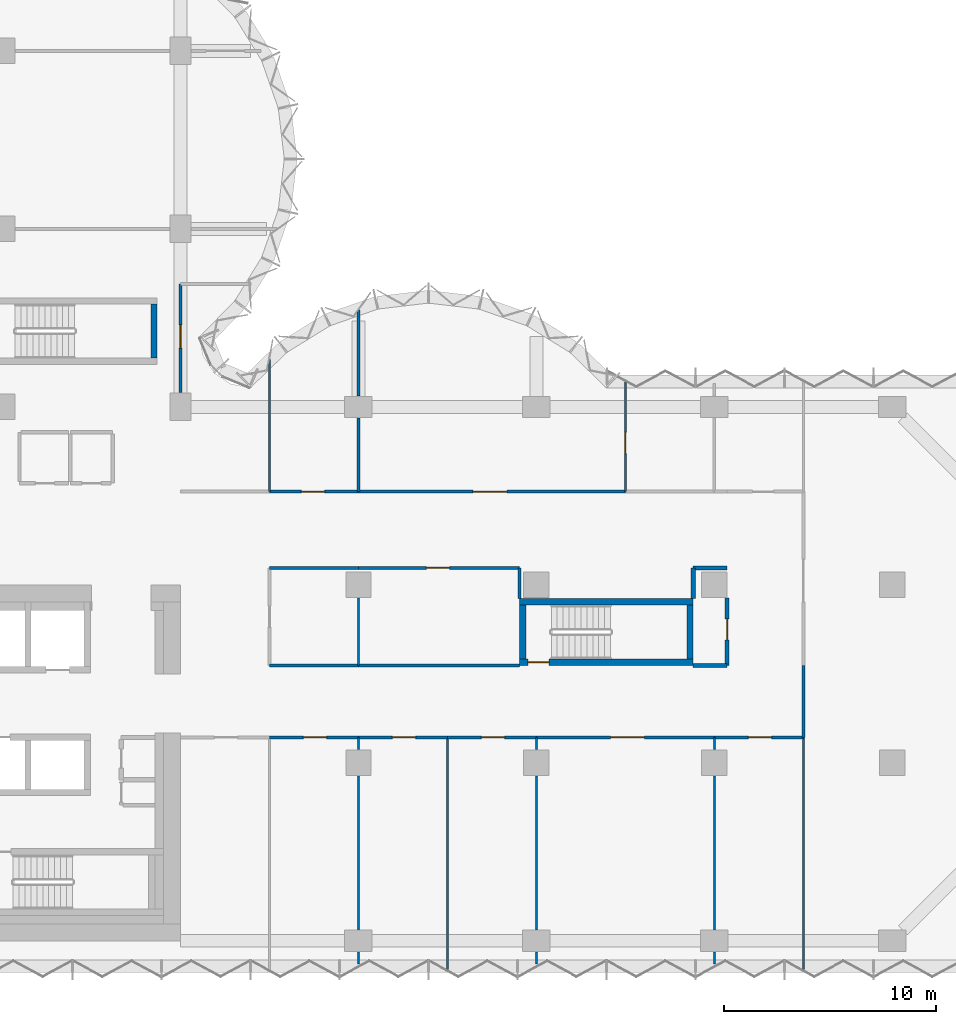
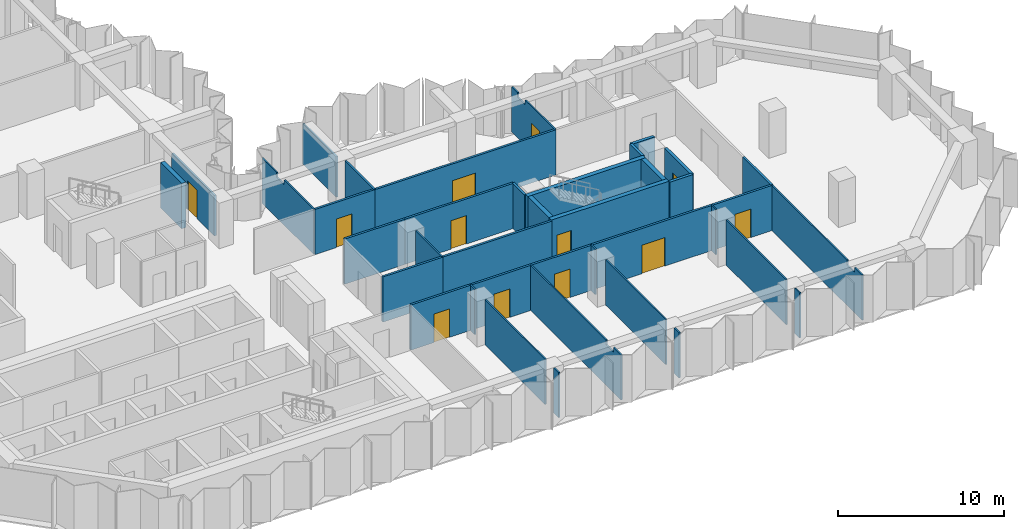
# One storey, part 9 of 13: 39 walls, 12 doors, 12 openings.
"""IFC4 building model written with IfcOpenShell, lengths in metres."""

from ifc_helpers import new_model, si_unit, direction, frame, frame_2d, origin, place, context, subcontext, project, spatial, polyline, rectangle, outline, extrude, material, layer, layer_set, type_object, element, fill, save


model = new_model("IFC4")

# Units and contexts
model_context = context("Model", 3, precision=1e-05, world=origin(), true_north=direction((0.0, 1.0)))
body_context = subcontext(model_context, "Body", "Model", "MODEL_VIEW")
ifc_project = project(units=[si_unit("LENGTHUNIT", "METRE"), si_unit("AREAUNIT", "SQUARE_METRE"), si_unit("VOLUMEUNIT", "CUBIC_METRE"), si_unit("PLANEANGLEUNIT", "RADIAN"), si_unit("MASSUNIT", "GRAM", prefix="KILO")], contexts=[model_context])

# Site, building, storey
site_placement = place(None, origin())
site = spatial("IfcSite", under=ifc_project, at=site_placement, CompositionType="ELEMENT")
building_placement = place(site_placement, origin())
building = spatial("IfcBuilding", under=site, at=building_placement, Name="Brevane Broadcast Tower", CompositionType="ELEMENT")
storey_placement = place(building_placement, frame((0.0, 0.0, 124.10009765625)))
storey = spatial("IfcBuildingStorey", under=building, at=storey_placement, Name="L30", CompositionType="ELEMENT", Elevation=124.10009765625)

# Wall
ifc_material_1 = material(Name="Concrete C60/75", Category="concrete")
ifc_layer_1 = layer(ifc_material_1, 0.300048828125)
ifc_layer_set_1 = layer_set([ifc_layer_1], Name="Core wall 300 mm C60/75")
wall_type_1 = type_object("IfcWallType", Name="Core wall 300 mm C60/75", PredefinedType="SHEAR", material=ifc_layer_set_1)
wall_1_placement = place(storey_placement, frame((23.949951171875, 27.5, 0.0), z_axis=(0.0, 0.0, 1.0), x_axis=(0.0, 1.0, 0.0)))
element("IfcWall", 1, at=wall_1_placement, inside=storey, type_object=wall_type_1, Name="L30 stair wall ST-3-E", PredefinedType="SHEAR", context=body_context, shape_type="SweptSolid", body=[
    extrude(rectangle(XDim=2.550048828125, YDim=0.300048828125, at=frame_2d((1.27490234375, 0.0))), origin(), (0.0, 0.0, 1.0), 3.349853515625),
])

# Wall, opening, door
wall_2_placement = place(storey_placement, frame((49.39990234375, 13.14990234375, 0.0), z_axis=(0.0, 0.0, 1.0), x_axis=(-1.0, 0.0, 0.0)))
wall_2 = element("IfcWall", 2, at=wall_2_placement, inside=storey, type_object=wall_type_1, Name="L30 stair wall ST-4-S", PredefinedType="SHEAR", context=body_context, shape_type="SweptSolid", body=[
    extrude(rectangle(XDim=8.199951171875, YDim=0.300048828125, at=frame_2d((4.10009765625, 0.0))), origin(), (0.0, 0.0, 1.0), 3.349853515625),
])
opening_1_placement = place(wall_2_placement, frame((6.800048828125, 0.0, 0.0)))
opening_1 = element("IfcOpeningElement", 3, at=opening_1_placement, cuts=wall_2, Name="Opening L30-K15", PredefinedType="OPENING", context=body_context, shape_type="SweptSolid", body=[
    extrude(rectangle(XDim=1.0, YDim=2.10009765625, at=frame_2d((0.5, 1.050048828125))), frame((0.0, 0.159912109375, 0.0), z_axis=(0.0, -1.0, 0.0), x_axis=(1.0, 0.0, 0.0)), (0.0, 0.0, 1.0), 0.320068359375),
])
ifc_material_2 = material(Name="Steel", Category="steel")
door_type_1 = type_object("IfcDoorType", Name="Stair door 1000 x 2100", OperationType="SINGLE_SWING_LEFT", PredefinedType="DOOR", material=ifc_material_2)
door_1_placement = place(opening_1_placement, origin())
door_1 = element("IfcDoor", 4, at=door_1_placement, inside=storey, type_object=door_type_1, Name="Door L30-K15", OperationType="SINGLE_SWING_RIGHT", OverallHeight=2.10009765625, OverallWidth=1.0, PredefinedType="DOOR", context=body_context, shape_type="SweptSolid", body=[
    extrude(rectangle(XDim=1.0, YDim=2.10009765625, at=frame_2d((0.5, 1.050048828125))), frame((0.0, 0.02490234375, 0.0), z_axis=(0.0, -1.0, 0.0), x_axis=(1.0, 0.0, 0.0)), (0.0, 0.0, 1.0), 0.050048828125),
])
fill(opening_1, door_1)

# Walls
wall_3_placement = place(storey_placement, frame((41.199951171875, 16.0, 0.0), z_axis=(0.0, 0.0, 1.0), x_axis=(1.0, 0.0, 0.0)))
element("IfcWall", 5, at=wall_3_placement, inside=storey, type_object=wall_type_1, Name="L30 stair wall ST-4-N", PredefinedType="SHEAR", context=body_context, shape_type="SweptSolid", body=[
    extrude(rectangle(XDim=8.199951171875, YDim=0.300048828125, at=frame_2d((4.10009765625, 0.0))), origin(), (0.0, 0.0, 1.0), 3.349853515625),
])
for number, where, z_axis, x_axis, name in (
    (6, (41.35009765625, 13.300048828125, 0.0), (0.0, 0.0, 1.0), (0.0, 1.0, 0.0), "L30 stair wall ST-4-W"),
    (7, (49.25, 13.300048828125, 0.0), (0.0, 0.0, 1.0), (0.0, 1.0, 0.0), "L30 stair wall ST-4-E"),
):
    element("IfcWall", number, at=place(storey_placement, frame(where, z_axis=z_axis, x_axis=x_axis)), inside=storey, type_object=wall_type_1, Name=name, PredefinedType="SHEAR", context=body_context, shape_type="SweptSolid", body=[
        extrude(rectangle(XDim=2.550048828125, YDim=0.300048828125, at=frame_2d((1.27490234375, 0.0))), origin(), (0.0, 0.0, 1.0), 3.349853515625),
    ])
ifc_material_3 = material(Name="Gypsum board partition")
ifc_layer_2 = layer(ifc_material_3, 0.10009765625)
ifc_layer_set_2 = layer_set([ifc_layer_2], Name="PARTITION 100 STUD")
wall_type_2 = type_object("IfcWallType", Name="PARTITION 100 STUD", PredefinedType="PARTITIONING", material=ifc_layer_set_2)
wall_4_placement = place(storey_placement, frame((29.39990234375, 27.428955078125, 0.0), z_axis=(0.0, 0.0, 1.0), x_axis=(0.0, -1.0, 0.0)))
element("IfcWall", 8, at=wall_4_placement, inside=storey, type_object=wall_type_2, Name="Partition G09-004", PredefinedType="PARTITIONING", context=body_context, shape_type="SweptSolid", body=[
    extrude(outline(polyline([(0.0, 0.0), (6.22900390625, 0.0), (6.22900390625, 3.329833984375), (2.678955078125, 3.329833984375), (2.677001953125, 2.97998046875), (1.781005859375, 2.97998046875), (1.779052734375, 3.329833984375), (0.154052734375, 3.329833984375), (0.0, 3.329833984375), (0.0, 0.0)])), frame((0.0, 0.050048828125, 0.0), z_axis=(0.0, -1.0, 0.0), x_axis=(1.0, 0.0, 0.0)), (0.0, 0.0, 1.0), 0.10009765625),
])
wall_5_placement = place(storey_placement, frame((54.60009765625, -1.364990234375, 0.0), z_axis=(0.0, 0.0, 1.0), x_axis=(0.0, 1.0, 0.0)))
element("IfcWall", 9, at=wall_5_placement, inside=storey, type_object=wall_type_2, Name="Partition G09-017", PredefinedType="PARTITIONING", context=body_context, shape_type="SweptSolid", body=[
    extrude(outline(polyline([(0.0, 0.0), (10.965087890625, 0.0), (10.965087890625, 3.329833984375), (1.81494140625, 3.329833984375), (1.81298828125, 2.97998046875), (0.9169921875, 2.97998046875), (0.9150390625, 3.329833984375), (0.264892578125, 3.329833984375), (0.0, 3.329833984375), (0.0, 0.0)])), frame((0.0, 0.050048828125, 0.0), z_axis=(0.0, -1.0, 0.0), x_axis=(1.0, 0.0, 0.0)), (0.0, 0.0, 1.0), 0.10009765625),
])
wall_6_placement = place(storey_placement, frame((33.60009765625, 16.179931640625, 0.0), z_axis=(0.0, 0.0, 1.0), x_axis=(0.0, -1.0, 0.0)))
element("IfcWall", 10, at=wall_6_placement, inside=storey, type_object=wall_type_2, Name="Partition G09-030", PredefinedType="PARTITIONING", context=body_context, shape_type="SweptSolid", body=[
    extrude(rectangle(XDim=3.179931640625, YDim=0.10009765625, at=frame_2d((1.58984375, 0.0))), origin(), (0.0, 0.0, 1.0), 3.329833984375),
])
wall_7_placement = place(storey_placement, frame((33.60009765625, 9.60009765625, 0.0), z_axis=(0.0, 0.0, 1.0), x_axis=(0.0, -1.0, 0.0)))
element("IfcWall", 11, at=wall_7_placement, inside=storey, type_object=wall_type_2, Name="Partition G09-032", PredefinedType="PARTITIONING", context=body_context, shape_type="SweptSolid", body=[
    extrude(rectangle(XDim=0.580078125, YDim=0.10009765625, at=frame_2d((0.2900390625, 0.0))), origin(), (0.0, 0.0, 1.0), 3.329833984375),
])
wall_8_placement = place(storey_placement, frame((33.60009765625, 7.780029296875, 0.0), z_axis=(0.0, 0.0, 1.0), x_axis=(0.0, -1.0, 0.0)))
element("IfcWall", 12, at=wall_8_placement, inside=storey, type_object=wall_type_2, Name="Partition G09-033", PredefinedType="PARTITIONING", context=body_context, shape_type="SweptSolid", body=[
    extrude(rectangle(XDim=7.260009765625, YDim=0.10009765625, at=frame_2d((3.6298828125, 0.0))), origin(), (0.0, 0.0, 1.0), 3.329833984375),
])
wall_9_placement = place(storey_placement, frame((33.60009765625, -0.52001953125, 0.0), z_axis=(0.0, 0.0, 1.0), x_axis=(0.0, -1.0, 0.0)))
element("IfcWall", 13, at=wall_9_placement, inside=storey, type_object=wall_type_2, Name="Partition G09-034", PredefinedType="PARTITIONING", context=body_context, shape_type="SweptSolid", body=[
    extrude(rectangle(XDim=0.580078125, YDim=0.10009765625, at=frame_2d((0.2900390625, 0.0))), origin(), (0.0, 0.0, 1.0), 3.329833984375),
])
wall_10_placement = place(storey_placement, frame((37.800048828125, 9.60009765625, 0.0), z_axis=(0.0, 0.0, 1.0), x_axis=(0.0, -1.0, 0.0)))
element("IfcWall", 14, at=wall_10_placement, inside=storey, type_object=wall_type_2, Name="Partition G09-035", PredefinedType="PARTITIONING", context=body_context, shape_type="SweptSolid", body=[
    extrude(outline(polyline([(0.0, 0.0), (10.965087890625, 0.0), (10.965087890625, 3.329833984375), (10.699951171875, 3.329833984375), (10.050048828125, 3.329833984375), (10.048095703125, 2.97998046875), (9.152099609375, 2.97998046875), (9.14990234375, 3.329833984375), (0.0, 3.329833984375), (0.0, 0.0)])), frame((0.0, 0.050048828125, 0.0), z_axis=(0.0, -1.0, 0.0), x_axis=(1.0, 0.0, 0.0)), (0.0, 0.0, 1.0), 0.10009765625),
])
wall_11_placement = place(storey_placement, frame((42.0, 9.60009765625, 0.0), z_axis=(0.0, 0.0, 1.0), x_axis=(0.0, -1.0, 0.0)))
element("IfcWall", 15, at=wall_11_placement, inside=storey, type_object=wall_type_2, Name="Partition G09-036", PredefinedType="PARTITIONING", context=body_context, shape_type="SweptSolid", body=[
    extrude(rectangle(XDim=0.580078125, YDim=0.10009765625, at=frame_2d((0.2900390625, 0.0))), origin(), (0.0, 0.0, 1.0), 3.329833984375),
])
wall_12_placement = place(storey_placement, frame((42.0, 7.780029296875, 0.0), z_axis=(0.0, 0.0, 1.0), x_axis=(0.0, -1.0, 0.0)))
element("IfcWall", 16, at=wall_12_placement, inside=storey, type_object=wall_type_2, Name="Partition G09-037", PredefinedType="PARTITIONING", context=body_context, shape_type="SweptSolid", body=[
    extrude(rectangle(XDim=7.260009765625, YDim=0.10009765625, at=frame_2d((3.6298828125, 0.0))), origin(), (0.0, 0.0, 1.0), 3.329833984375),
])
for number, where, z_axis, x_axis, name in (
    (17, (42.0, -0.52001953125, 0.0), (0.0, 0.0, 1.0), (0.0, -1.0, 0.0), "Partition G09-038"),
    (18, (50.39990234375, 9.60009765625, 0.0), (0.0, 0.0, 1.0), (0.0, -1.0, 0.0), "Partition G09-039"),
):
    element("IfcWall", number, at=place(storey_placement, frame(where, z_axis=z_axis, x_axis=x_axis)), inside=storey, type_object=wall_type_2, Name=name, PredefinedType="PARTITIONING", context=body_context, shape_type="SweptSolid", body=[
        extrude(rectangle(XDim=0.580078125, YDim=0.10009765625, at=frame_2d((0.2900390625, 0.0))), origin(), (0.0, 0.0, 1.0), 3.329833984375),
    ])
wall_13_placement = place(storey_placement, frame((50.39990234375, 7.780029296875, 0.0), z_axis=(0.0, 0.0, 1.0), x_axis=(0.0, -1.0, 0.0)))
element("IfcWall", 19, at=wall_13_placement, inside=storey, type_object=wall_type_2, Name="Partition G09-040", PredefinedType="PARTITIONING", context=body_context, shape_type="SweptSolid", body=[
    extrude(rectangle(XDim=7.260009765625, YDim=0.10009765625, at=frame_2d((3.6298828125, 0.0))), origin(), (0.0, 0.0, 1.0), 3.329833984375),
])
wall_14_placement = place(storey_placement, frame((50.39990234375, -0.52001953125, 0.0), z_axis=(0.0, 0.0, 1.0), x_axis=(0.0, -1.0, 0.0)))
element("IfcWall", 20, at=wall_14_placement, inside=storey, type_object=wall_type_2, Name="Partition G09-041", PredefinedType="PARTITIONING", context=body_context, shape_type="SweptSolid", body=[
    extrude(rectangle(XDim=0.580078125, YDim=0.10009765625, at=frame_2d((0.2900390625, 0.0))), origin(), (0.0, 0.0, 1.0), 3.329833984375),
])

# Wall, opening, door
wall_15_placement = place(storey_placement, frame((46.199951171875, 26.3740234375, 0.0), z_axis=(0.0, 0.0, 1.0), x_axis=(0.0, -1.0, 0.0)))
wall_15 = element("IfcWall", 21, at=wall_15_placement, inside=storey, type_object=wall_type_2, Name="Partition G09-044", PredefinedType="PARTITIONING", context=body_context, shape_type="SweptSolid", body=[
    extrude(outline(polyline([(0.0, 0.0), (5.174072265625, 0.0), (5.174072265625, 3.329833984375), (1.6240234375, 3.329833984375), (1.6220703125, 2.97998046875), (0.72607421875, 2.97998046875), (0.72412109375, 3.329833984375), (0.073974609375, 3.329833984375), (0.0, 3.329833984375), (0.0, 0.0)])), frame((0.0, 0.050048828125, 0.0), z_axis=(0.0, -1.0, 0.0), x_axis=(1.0, 0.0, 0.0)), (0.0, 0.0, 1.0), 0.10009765625),
])
opening_2_placement = place(wall_15_placement, frame((2.3740234375, 0.0, 0.0)))
opening_2 = element("IfcOpeningElement", 22, at=opening_2_placement, cuts=wall_15, Name="Opening D16-014", PredefinedType="OPENING", context=body_context, shape_type="SweptSolid", body=[
    extrude(rectangle(XDim=1.0, YDim=2.10009765625, at=frame_2d((0.5, 1.050048828125))), frame((0.0, 0.06005859375, 0.0), z_axis=(0.0, -1.0, 0.0), x_axis=(1.0, 0.0, 0.0)), (0.0, 0.0, 1.0), 0.1201171875),
])
ifc_material_4 = material(Name="Timber door leaf", Category="wood")
door_type_2 = type_object("IfcDoorType", Name="DOOR SINGLE 1000 INTERNAL", OperationType="SINGLE_SWING_LEFT", PredefinedType="DOOR", material=ifc_material_4)
door_2_placement = place(opening_2_placement, origin())
door_2 = element("IfcDoor", 23, at=door_2_placement, inside=storey, type_object=door_type_2, Name="Door D16-014", OperationType="SINGLE_SWING_LEFT", OverallHeight=2.10009765625, OverallWidth=1.0, PredefinedType="DOOR", context=body_context, shape_type="SweptSolid", body=[
    extrude(rectangle(XDim=1.0, YDim=2.10009765625, at=frame_2d((0.5, 1.050048828125))), frame((0.0, 0.02490234375, 0.0), z_axis=(0.0, -1.0, 0.0), x_axis=(1.0, 0.0, 0.0)), (0.0, 0.0, 1.0), 0.050048828125),
])
fill(opening_2, door_2)

# Walls
ifc_layer_3 = layer(ifc_material_3, 0.125)
ifc_layer_set_3 = layer_set([ifc_layer_3], Name="PARTITION 125 ACOUSTIC")
wall_type_3 = type_object("IfcWallType", Name="PARTITION 125 ACOUSTIC", PredefinedType="PARTITIONING", material=ifc_layer_set_3)
wall_16_placement = place(storey_placement, frame((33.60009765625, 29.761962890625, 0.0), z_axis=(0.0, 0.0, 1.0), x_axis=(0.0, -1.0, 0.0)))
element("IfcWall", 24, at=wall_16_placement, inside=storey, type_object=wall_type_3, Name="Partition G09-042", PredefinedType="PARTITIONING", context=body_context, shape_type="SweptSolid", body=[
    extrude(rectangle(XDim=4.0419921875, YDim=0.125, at=frame_2d((2.02099609375, 0.0))), origin(), (0.0, 0.0, 1.0), 2.97998046875),
])
wall_17_placement = place(storey_placement, frame((33.60009765625, 24.679931640625, 0.0), z_axis=(0.0, 0.0, 1.0), x_axis=(0.0, -1.0, 0.0)))
element("IfcWall", 25, at=wall_17_placement, inside=storey, type_object=wall_type_3, Name="Partition G09-043", PredefinedType="PARTITIONING", context=body_context, shape_type="SweptSolid", body=[
    extrude(rectangle(XDim=3.47998046875, YDim=0.125, at=frame_2d((1.739990234375, 0.0))), origin(), (0.0, 0.0, 1.0), 3.329833984375),
])

# Wall, opening, door
ifc_layer_4 = layer(ifc_material_3, 0.14990234375)
ifc_layer_set_4 = layer_set([ifc_layer_4], Name="PARTITION 150 EI 60")
wall_type_4 = type_object("IfcWallType", Name="PARTITION 150 EI 60", PredefinedType="PARTITIONING", material=ifc_layer_set_4)
wall_18_placement = place(storey_placement, frame((25.199951171875, 31.0, 0.0), z_axis=(0.0, 0.0, 1.0), x_axis=(0.0, -1.0, 0.0)))
wall_18 = element("IfcWall", 26, at=wall_18_placement, inside=storey, type_object=wall_type_4, Name="Partition G09-005", PredefinedType="PARTITIONING", context=body_context, shape_type="SweptSolid", body=[
    extrude(outline(polyline([(0.0, 0.0), (5.1298828125, 0.0), (5.1298828125, 2.97998046875), (0.0, 2.97998046875), (0.0, 0.0)])), frame((0.0, 0.074951171875, 0.0), z_axis=(0.0, -1.0, 0.0), x_axis=(1.0, 0.0, 0.0)), (0.0, 0.0, 1.0), 0.14990234375),
])
opening_3_placement = place(wall_18_placement, frame((1.929931640625, 0.0, 0.0)))
opening_3 = element("IfcOpeningElement", 27, at=opening_3_placement, cuts=wall_18, Name="Opening D16-001", PredefinedType="OPENING", context=body_context, shape_type="SweptSolid", body=[
    extrude(rectangle(XDim=1.10009765625, YDim=2.10009765625, at=frame_2d((0.550048828125, 1.050048828125))), frame((0.0, 0.0849609375, 0.0), z_axis=(0.0, -1.0, 0.0), x_axis=(1.0, 0.0, 0.0)), (0.0, 0.0, 1.0), 0.169921875),
])
ifc_material_5 = material(Name="Fire-rated timber door leaf", Category="wood")
door_type_3 = type_object("IfcDoorType", Name="DOOR SINGLE 1100 FD30S", OperationType="SINGLE_SWING_LEFT", PredefinedType="DOOR", material=ifc_material_5)
door_3_placement = place(opening_3_placement, origin())
door_3 = element("IfcDoor", 28, at=door_3_placement, inside=storey, type_object=door_type_3, Name="Door D16-001", OperationType="SINGLE_SWING_RIGHT", OverallHeight=2.10009765625, OverallWidth=1.10009765625, PredefinedType="DOOR", context=body_context, shape_type="SweptSolid", body=[
    extrude(rectangle(XDim=1.10009765625, YDim=2.10009765625, at=frame_2d((0.550048828125, 1.050048828125))), frame((0.0, 0.02490234375, 0.0), z_axis=(0.0, -1.0, 0.0), x_axis=(1.0, 0.0, 0.0)), (0.0, 0.0, 1.0), 0.050048828125),
])
fill(opening_3, door_3)

# Walls
wall_19_placement = place(storey_placement, frame((54.60009765625, 13.0, 0.0), z_axis=(0.0, 0.0, 1.0), x_axis=(0.0, -1.0, 0.0)))
element("IfcWall", 29, at=wall_19_placement, inside=storey, type_object=wall_type_4, Name="Partition G09-007", PredefinedType="PARTITIONING", context=body_context, shape_type="SweptSolid", body=[
    extrude(rectangle(XDim=3.39990234375, YDim=0.14990234375, at=frame_2d((1.699951171875, 0.0))), origin(), (0.0, 0.0, 1.0), 3.329833984375),
])
wall_20_placement = place(storey_placement, frame((29.39990234375, 13.0, 0.0), z_axis=(0.0, 0.0, 1.0), x_axis=(1.0, 0.0, 0.0)))
element("IfcWall", 30, at=wall_20_placement, inside=storey, type_object=wall_type_4, Name="Partition G09-008", PredefinedType="PARTITIONING", context=body_context, shape_type="SweptSolid", body=[
    extrude(rectangle(XDim=4.2001953125, YDim=0.14990234375, at=frame_2d((2.10009765625, 0.0))), origin(), (0.0, 0.0, 1.0), 3.329833984375),
])
wall_21_placement = place(storey_placement, frame((33.60009765625, 13.0, 0.0), z_axis=(0.0, 0.0, 1.0), x_axis=(1.0, 0.0, 0.0)))
element("IfcWall", 31, at=wall_21_placement, inside=storey, type_object=wall_type_4, Name="Partition G09-009", PredefinedType="PARTITIONING", context=body_context, shape_type="SweptSolid", body=[
    extrude(rectangle(XDim=7.599853515625, YDim=0.14990234375, at=frame_2d((3.7998046875, 0.0))), origin(), (0.0, 0.0, 1.0), 3.329833984375),
])

# Wall, opening, door
wall_22_placement = place(storey_placement, frame((33.60009765625, 9.60009765625, 0.0), z_axis=(0.0, 0.0, 1.0), x_axis=(-1.0, 0.0, 0.0)))
wall_22 = element("IfcWall", 32, at=wall_22_placement, inside=storey, type_object=wall_type_4, Name="Partition G09-011", PredefinedType="PARTITIONING", context=body_context, shape_type="SweptSolid", body=[
    extrude(rectangle(XDim=4.2001953125, YDim=0.14990234375, at=frame_2d((2.10009765625, 0.0))), origin(), (0.0, 0.0, 1.0), 3.329833984375),
])
opening_4_placement = place(wall_22_placement, frame((1.5, 0.0, 0.0)))
opening_4 = element("IfcOpeningElement", 33, at=opening_4_placement, cuts=wall_22, Name="Opening D16-007", PredefinedType="OPENING", context=body_context, shape_type="SweptSolid", body=[
    extrude(rectangle(XDim=1.10009765625, YDim=2.10009765625, at=frame_2d((0.550048828125, 1.050048828125))), frame((0.0, 0.0849609375, 0.0), z_axis=(0.0, -1.0, 0.0), x_axis=(1.0, 0.0, 0.0)), (0.0, 0.0, 1.0), 0.169921875),
])
door_4_placement = place(opening_4_placement, origin())
door_4 = element("IfcDoor", 34, at=door_4_placement, inside=storey, type_object=door_type_3, Name="Door D16-007", OperationType="SINGLE_SWING_LEFT", OverallHeight=2.10009765625, OverallWidth=1.10009765625, PredefinedType="DOOR", context=body_context, shape_type="SweptSolid", body=[
    extrude(rectangle(XDim=1.10009765625, YDim=2.10009765625, at=frame_2d((0.550048828125, 1.050048828125))), frame((0.0, 0.02490234375, 0.0), z_axis=(0.0, -1.0, 0.0), x_axis=(1.0, 0.0, 0.0)), (0.0, 0.0, 1.0), 0.050048828125),
])
fill(opening_4, door_4)

wall_23_placement = place(storey_placement, frame((37.800048828125, 9.60009765625, 0.0), z_axis=(0.0, 0.0, 1.0), x_axis=(-1.0, 0.0, 0.0)))
wall_23 = element("IfcWall", 35, at=wall_23_placement, inside=storey, type_object=wall_type_4, Name="Partition G09-012", PredefinedType="PARTITIONING", context=body_context, shape_type="SweptSolid", body=[
    extrude(rectangle(XDim=4.199951171875, YDim=0.14990234375, at=frame_2d((2.10009765625, 0.0))), origin(), (0.0, 0.0, 1.0), 3.329833984375),
])
opening_5_placement = place(wall_23_placement, frame((1.5, 0.0, 0.0)))
opening_5 = element("IfcOpeningElement", 36, at=opening_5_placement, cuts=wall_23, Name="Opening D16-008", PredefinedType="OPENING", context=body_context, shape_type="SweptSolid", body=[
    extrude(rectangle(XDim=1.10009765625, YDim=2.10009765625, at=frame_2d((0.550048828125, 1.050048828125))), frame((0.0, 0.0849609375, 0.0), z_axis=(0.0, -1.0, 0.0), x_axis=(1.0, 0.0, 0.0)), (0.0, 0.0, 1.0), 0.169921875),
])
door_5_placement = place(opening_5_placement, origin())
door_5 = element("IfcDoor", 37, at=door_5_placement, inside=storey, type_object=door_type_3, Name="Door D16-008", OperationType="SINGLE_SWING_LEFT", OverallHeight=2.10009765625, OverallWidth=1.10009765625, PredefinedType="DOOR", context=body_context, shape_type="SweptSolid", body=[
    extrude(rectangle(XDim=1.10009765625, YDim=2.10009765625, at=frame_2d((0.550048828125, 1.050048828125))), frame((0.0, 0.02490234375, 0.0), z_axis=(0.0, -1.0, 0.0), x_axis=(1.0, 0.0, 0.0)), (0.0, 0.0, 1.0), 0.050048828125),
])
fill(opening_5, door_5)

wall_24_placement = place(storey_placement, frame((42.0, 9.60009765625, 0.0), z_axis=(0.0, 0.0, 1.0), x_axis=(-1.0, 0.0, 0.0)))
wall_24 = element("IfcWall", 38, at=wall_24_placement, inside=storey, type_object=wall_type_4, Name="Partition G09-013", PredefinedType="PARTITIONING", context=body_context, shape_type="SweptSolid", body=[
    extrude(rectangle(XDim=4.199951171875, YDim=0.14990234375, at=frame_2d((2.10009765625, 0.0))), origin(), (0.0, 0.0, 1.0), 3.329833984375),
])
opening_6_placement = place(wall_24_placement, frame((1.5, 0.0, 0.0)))
opening_6 = element("IfcOpeningElement", 39, at=opening_6_placement, cuts=wall_24, Name="Opening D16-009", PredefinedType="OPENING", context=body_context, shape_type="SweptSolid", body=[
    extrude(rectangle(XDim=1.10009765625, YDim=2.10009765625, at=frame_2d((0.550048828125, 1.050048828125))), frame((0.0, 0.0849609375, 0.0), z_axis=(0.0, -1.0, 0.0), x_axis=(1.0, 0.0, 0.0)), (0.0, 0.0, 1.0), 0.169921875),
])
door_6_placement = place(opening_6_placement, origin())
door_6 = element("IfcDoor", 40, at=door_6_placement, inside=storey, type_object=door_type_3, Name="Door D16-009", OperationType="SINGLE_SWING_LEFT", OverallHeight=2.10009765625, OverallWidth=1.10009765625, PredefinedType="DOOR", context=body_context, shape_type="SweptSolid", body=[
    extrude(rectangle(XDim=1.10009765625, YDim=2.10009765625, at=frame_2d((0.550048828125, 1.050048828125))), frame((0.0, 0.02490234375, 0.0), z_axis=(0.0, -1.0, 0.0), x_axis=(1.0, 0.0, 0.0)), (0.0, 0.0, 1.0), 0.050048828125),
])
fill(opening_6, door_6)

wall_25_placement = place(storey_placement, frame((50.39990234375, 9.60009765625, 0.0), z_axis=(0.0, 0.0, 1.0), x_axis=(-1.0, 0.0, 0.0)))
wall_25 = element("IfcWall", 41, at=wall_25_placement, inside=storey, type_object=wall_type_4, Name="Partition G09-014", PredefinedType="PARTITIONING", context=body_context, shape_type="SweptSolid", body=[
    extrude(rectangle(XDim=8.39990234375, YDim=0.14990234375, at=frame_2d((4.199951171875, 0.0))), origin(), (0.0, 0.0, 1.0), 3.329833984375),
])
opening_7_placement = place(wall_25_placement, frame((3.300048828125, 0.0, 0.0)))
opening_7 = element("IfcOpeningElement", 42, at=opening_7_placement, cuts=wall_25, Name="Opening D16-010", PredefinedType="OPENING", context=body_context, shape_type="SweptSolid", body=[
    extrude(rectangle(XDim=1.60009765625, YDim=2.10009765625, at=frame_2d((0.800048828125, 1.050048828125))), frame((0.0, 0.0849609375, 0.0), z_axis=(0.0, -1.0, 0.0), x_axis=(1.0, 0.0, 0.0)), (0.0, 0.0, 1.0), 0.169921875),
])
door_type_4 = type_object("IfcDoorType", Name="DOOR DOUBLE 1600 FD30S", OperationType="DOUBLE_DOOR_SINGLE_SWING", PredefinedType="DOOR", material=ifc_material_5)
door_7_placement = place(opening_7_placement, origin())
door_7 = element("IfcDoor", 43, at=door_7_placement, inside=storey, type_object=door_type_4, Name="Door D16-010", OperationType="DOUBLE_DOOR_SINGLE_SWING", OverallHeight=2.10009765625, OverallWidth=1.60009765625, PredefinedType="DOOR", context=body_context, shape_type="SweptSolid", body=[
    extrude(rectangle(XDim=1.60009765625, YDim=2.10009765625, at=frame_2d((0.800048828125, 1.050048828125))), frame((0.0, 0.02490234375, 0.0), z_axis=(0.0, -1.0, 0.0), x_axis=(1.0, 0.0, 0.0)), (0.0, 0.0, 1.0), 0.050048828125),
])
fill(opening_7, door_7)

wall_26_placement = place(storey_placement, frame((54.60009765625, 9.60009765625, 0.0), z_axis=(0.0, 0.0, 1.0), x_axis=(-1.0, 0.0, 0.0)))
wall_26 = element("IfcWall", 44, at=wall_26_placement, inside=storey, type_object=wall_type_4, Name="Partition G09-015", PredefinedType="PARTITIONING", context=body_context, shape_type="SweptSolid", body=[
    extrude(rectangle(XDim=4.2001953125, YDim=0.14990234375, at=frame_2d((2.10009765625, 0.0))), origin(), (0.0, 0.0, 1.0), 3.329833984375),
])
opening_8_placement = place(wall_26_placement, frame((1.5, 0.0, 0.0)))
opening_8 = element("IfcOpeningElement", 45, at=opening_8_placement, cuts=wall_26, Name="Opening D16-011", PredefinedType="OPENING", context=body_context, shape_type="SweptSolid", body=[
    extrude(rectangle(XDim=1.10009765625, YDim=2.10009765625, at=frame_2d((0.550048828125, 1.050048828125))), frame((0.0, 0.0849609375, 0.0), z_axis=(0.0, -1.0, 0.0), x_axis=(1.0, 0.0, 0.0)), (0.0, 0.0, 1.0), 0.169921875),
])
door_8_placement = place(opening_8_placement, origin())
door_8 = element("IfcDoor", 46, at=door_8_placement, inside=storey, type_object=door_type_3, Name="Door D16-011", OperationType="SINGLE_SWING_LEFT", OverallHeight=2.10009765625, OverallWidth=1.10009765625, PredefinedType="DOOR", context=body_context, shape_type="SweptSolid", body=[
    extrude(rectangle(XDim=1.10009765625, YDim=2.10009765625, at=frame_2d((0.550048828125, 1.050048828125))), frame((0.0, 0.02490234375, 0.0), z_axis=(0.0, -1.0, 0.0), x_axis=(1.0, 0.0, 0.0)), (0.0, 0.0, 1.0), 0.050048828125),
])
fill(opening_8, door_8)

# Walls
wall_27_placement = place(storey_placement, frame((33.60009765625, 17.60009765625, 0.0), z_axis=(0.0, 0.0, 1.0), x_axis=(-1.0, 0.0, 0.0)))
element("IfcWall", 47, at=wall_27_placement, inside=storey, type_object=wall_type_4, Name="Partition G09-019", PredefinedType="PARTITIONING", context=body_context, shape_type="SweptSolid", body=[
    extrude(rectangle(XDim=4.2001953125, YDim=0.14990234375, at=frame_2d((2.10009765625, 0.0))), origin(), (0.0, 0.0, 1.0), 3.329833984375),
])
wall_28_placement = place(storey_placement, frame((41.199951171875, 16.14990234375, 0.0), z_axis=(0.0, 0.0, 1.0), x_axis=(0.0, 1.0, 0.0)))
element("IfcWall", 48, at=wall_28_placement, inside=storey, type_object=wall_type_4, Name="Partition G09-020", PredefinedType="PARTITIONING", context=body_context, shape_type="SweptSolid", body=[
    extrude(rectangle(XDim=1.4501953125, YDim=0.14990234375, at=frame_2d((0.72509765625, 0.0))), origin(), (0.0, 0.0, 1.0), 3.329833984375),
])

# Wall, opening, door
wall_29_placement = place(storey_placement, frame((41.199951171875, 17.60009765625, 0.0), z_axis=(0.0, 0.0, 1.0), x_axis=(-1.0, 0.0, 0.0)))
wall_29 = element("IfcWall", 49, at=wall_29_placement, inside=storey, type_object=wall_type_4, Name="Partition G09-021", PredefinedType="PARTITIONING", context=body_context, shape_type="SweptSolid", body=[
    extrude(rectangle(XDim=7.599853515625, YDim=0.14990234375, at=frame_2d((3.7998046875, 0.0))), origin(), (0.0, 0.0, 1.0), 3.329833984375),
])
opening_9_placement = place(wall_29_placement, frame((3.300048828125, 0.0, 0.0)))
opening_9 = element("IfcOpeningElement", 50, at=opening_9_placement, cuts=wall_29, Name="Opening D16-004", PredefinedType="OPENING", context=body_context, shape_type="SweptSolid", body=[
    extrude(rectangle(XDim=1.10009765625, YDim=2.10009765625, at=frame_2d((0.550048828125, 1.050048828125))), frame((0.0, 0.0849609375, 0.0), z_axis=(0.0, -1.0, 0.0), x_axis=(1.0, 0.0, 0.0)), (0.0, 0.0, 1.0), 0.169921875),
])
door_9_placement = place(opening_9_placement, origin())
door_9 = element("IfcDoor", 51, at=door_9_placement, inside=storey, type_object=door_type_3, Name="Door D16-004", OperationType="SINGLE_SWING_LEFT", OverallHeight=2.10009765625, OverallWidth=1.10009765625, PredefinedType="DOOR", context=body_context, shape_type="SweptSolid", body=[
    extrude(rectangle(XDim=1.10009765625, YDim=2.10009765625, at=frame_2d((0.550048828125, 1.050048828125))), frame((0.0, 0.02490234375, 0.0), z_axis=(0.0, -1.0, 0.0), x_axis=(1.0, 0.0, 0.0)), (0.0, 0.0, 1.0), 0.050048828125),
])
fill(opening_9, door_9)

wall_30_placement = place(storey_placement, frame((29.39990234375, 21.199951171875, 0.0), z_axis=(0.0, 0.0, 1.0), x_axis=(1.0, 0.0, 0.0)))
wall_30 = element("IfcWall", 52, at=wall_30_placement, inside=storey, type_object=wall_type_4, Name="Partition G09-024", PredefinedType="PARTITIONING", context=body_context, shape_type="SweptSolid", body=[
    extrude(rectangle(XDim=4.2001953125, YDim=0.14990234375, at=frame_2d((2.10009765625, 0.0))), origin(), (0.0, 0.0, 1.0), 3.329833984375),
])
opening_10_placement = place(wall_30_placement, frame((1.5, 0.0, 0.0)))
opening_10 = element("IfcOpeningElement", 53, at=opening_10_placement, cuts=wall_30, Name="Opening D16-012", PredefinedType="OPENING", context=body_context, shape_type="SweptSolid", body=[
    extrude(rectangle(XDim=1.10009765625, YDim=2.10009765625, at=frame_2d((0.550048828125, 1.050048828125))), frame((0.0, 0.0849609375, 0.0), z_axis=(0.0, -1.0, 0.0), x_axis=(1.0, 0.0, 0.0)), (0.0, 0.0, 1.0), 0.169921875),
])
door_10_placement = place(opening_10_placement, origin())
door_10 = element("IfcDoor", 54, at=door_10_placement, inside=storey, type_object=door_type_3, Name="Door D16-012", OperationType="SINGLE_SWING_LEFT", OverallHeight=2.10009765625, OverallWidth=1.10009765625, PredefinedType="DOOR", context=body_context, shape_type="SweptSolid", body=[
    extrude(rectangle(XDim=1.10009765625, YDim=2.10009765625, at=frame_2d((0.550048828125, 1.050048828125))), frame((0.0, 0.02490234375, 0.0), z_axis=(0.0, -1.0, 0.0), x_axis=(1.0, 0.0, 0.0)), (0.0, 0.0, 1.0), 0.050048828125),
])
fill(opening_10, door_10)

wall_31_placement = place(storey_placement, frame((33.60009765625, 21.199951171875, 0.0), z_axis=(0.0, 0.0, 1.0), x_axis=(1.0, 0.0, 0.0)))
wall_31 = element("IfcWall", 55, at=wall_31_placement, inside=storey, type_object=wall_type_4, Name="Partition G09-025", PredefinedType="PARTITIONING", context=body_context, shape_type="SweptSolid", body=[
    extrude(rectangle(XDim=12.599853515625, YDim=0.14990234375, at=frame_2d((6.2998046875, 0.0))), origin(), (0.0, 0.0, 1.0), 3.329833984375),
])
opening_11_placement = place(wall_31_placement, frame((5.39990234375, 0.0, 0.0)))
opening_11 = element("IfcOpeningElement", 56, at=opening_11_placement, cuts=wall_31, Name="Opening D16-013", PredefinedType="OPENING", context=body_context, shape_type="SweptSolid", body=[
    extrude(rectangle(XDim=1.60009765625, YDim=2.10009765625, at=frame_2d((0.800048828125, 1.050048828125))), frame((0.0, 0.0849609375, 0.0), z_axis=(0.0, -1.0, 0.0), x_axis=(1.0, 0.0, 0.0)), (0.0, 0.0, 1.0), 0.169921875),
])
door_11_placement = place(opening_11_placement, origin())
door_11 = element("IfcDoor", 57, at=door_11_placement, inside=storey, type_object=door_type_4, Name="Door D16-013", OperationType="DOUBLE_DOOR_SINGLE_SWING", OverallHeight=2.10009765625, OverallWidth=1.60009765625, PredefinedType="DOOR", context=body_context, shape_type="SweptSolid", body=[
    extrude(rectangle(XDim=1.60009765625, YDim=2.10009765625, at=frame_2d((0.800048828125, 1.050048828125))), frame((0.0, 0.02490234375, 0.0), z_axis=(0.0, -1.0, 0.0), x_axis=(1.0, 0.0, 0.0)), (0.0, 0.0, 1.0), 0.050048828125),
])
fill(opening_11, door_11)

# Walls
ifc_layer_5 = layer(ifc_material_3, 0.199951171875)
ifc_layer_set_5 = layer_set([ifc_layer_5], Name="PARTITION 200 EI 120")
wall_type_5 = type_object("IfcWallType", Name="PARTITION 200 EI 120", PredefinedType="PARTITIONING", material=ifc_layer_set_5)
for number, where, z_axis, x_axis, name in (
    (58, (49.39990234375, 13.0, 0.0), (0.0, 0.0, 1.0), (1.0, 0.0, 0.0), "Partition G09-010"),
    (59, (51.0, 17.60009765625, 0.0), (0.0, 0.0, 1.0), (-1.0, 0.0, 0.0), "Partition G09-022"),
):
    element("IfcWall", number, at=place(storey_placement, frame(where, z_axis=z_axis, x_axis=x_axis)), inside=storey, type_object=wall_type_5, Name=name, PredefinedType="PARTITIONING", context=body_context, shape_type="SweptSolid", body=[
        extrude(rectangle(XDim=1.60009765625, YDim=0.199951171875, at=frame_2d((0.800048828125, 0.0))), origin(), (0.0, 0.0, 1.0), 3.329833984375),
    ])
wall_32_placement = place(storey_placement, frame((49.39990234375, 17.60009765625, 0.0), z_axis=(0.0, 0.0, 1.0), x_axis=(0.0, -1.0, 0.0)))
element("IfcWall", 60, at=wall_32_placement, inside=storey, type_object=wall_type_5, Name="Partition G09-023", PredefinedType="PARTITIONING", context=body_context, shape_type="SweptSolid", body=[
    extrude(rectangle(XDim=1.4501953125, YDim=0.199951171875, at=frame_2d((0.72509765625, 0.0))), origin(), (0.0, 0.0, 1.0), 3.329833984375),
])

# Wall, opening, door
wall_33_placement = place(storey_placement, frame((51.0, 13.0, 0.0), z_axis=(0.0, 0.0, 1.0), x_axis=(0.0, 1.0, 0.0)))
wall_33 = element("IfcWall", 61, at=wall_33_placement, inside=storey, type_object=wall_type_5, Name="Partition G09-028", PredefinedType="PARTITIONING", context=body_context, shape_type="SweptSolid", body=[
    extrude(rectangle(XDim=3.179931640625, YDim=0.199951171875, at=frame_2d((1.58984375, 0.0))), origin(), (0.0, 0.0, 1.0), 3.329833984375),
])
opening_12_placement = place(wall_33_placement, frame((1.199951171875, 0.0, 0.0)))
opening_12 = element("IfcOpeningElement", 62, at=opening_12_placement, cuts=wall_33, Name="Opening D16-005", PredefinedType="OPENING", context=body_context, shape_type="SweptSolid", body=[
    extrude(rectangle(XDim=1.0, YDim=2.10009765625, at=frame_2d((0.5, 1.050048828125))), frame((0.0, 0.10986328125, 0.0), z_axis=(0.0, -1.0, 0.0), x_axis=(1.0, 0.0, 0.0)), (0.0, 0.0, 1.0), 0.219970703125),
])
door_type_5 = type_object("IfcDoorType", Name="DOOR SINGLE 1000 FD60", OperationType="SINGLE_SWING_LEFT", PredefinedType="DOOR", material=ifc_material_5)
door_12_placement = place(opening_12_placement, origin())
door_12 = element("IfcDoor", 63, at=door_12_placement, inside=storey, type_object=door_type_5, Name="Door D16-005", OperationType="SINGLE_SWING_LEFT", OverallHeight=2.10009765625, OverallWidth=1.0, PredefinedType="DOOR", context=body_context, shape_type="SweptSolid", body=[
    extrude(rectangle(XDim=1.0, YDim=2.10009765625, at=frame_2d((0.5, 1.050048828125))), frame((0.0, 0.02490234375, 0.0), z_axis=(0.0, -1.0, 0.0), x_axis=(1.0, 0.0, 0.0)), (0.0, 0.0, 1.0), 0.050048828125),
])
fill(opening_12, door_12)

save(model, "model.ifc")
